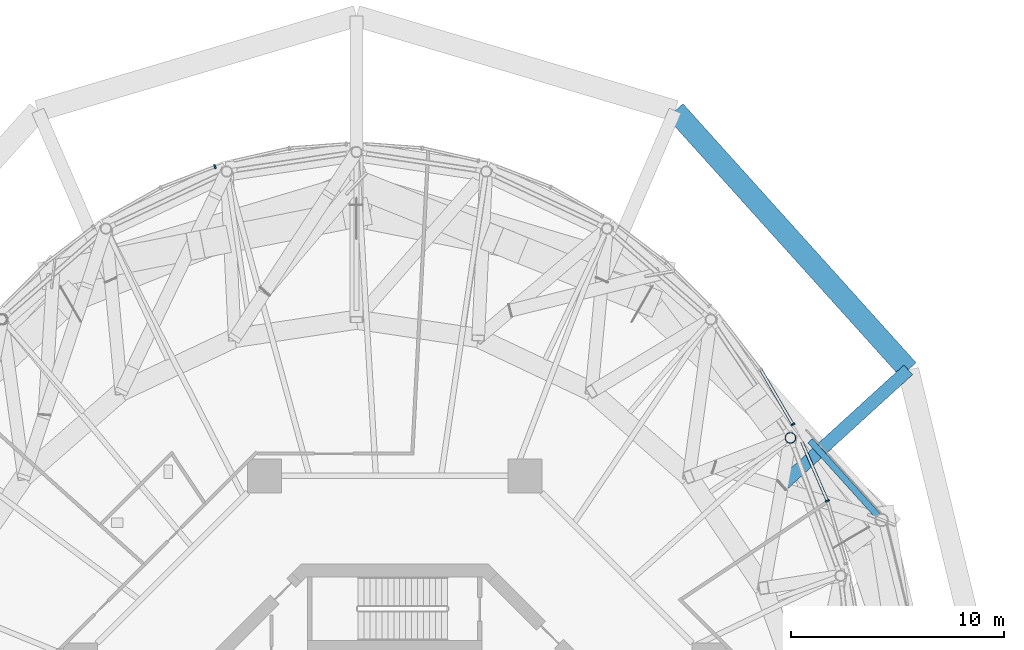
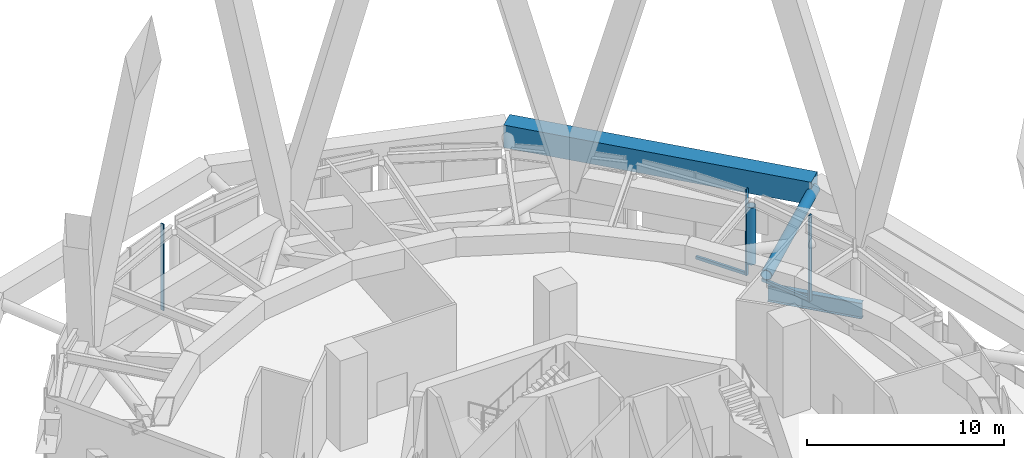
# One storey, part 34 of 48: 8 members, 1 beam, 3 elements without a shape of their own.
"""IFC4 building model written with IfcOpenShell, lengths in metres."""

from ifc_helpers import new_model, si_unit, direction, frame, origin, origin_2d, place, context, subcontext, project, spatial, rectangle, hollow_circle, i_section, extrude, material, layer, layer_set, material_profile, profile_set, type_object, element, aggregate, save


model = new_model("IFC4")

# Units and contexts
model_context = context("Model", 3, precision=1e-05, world=origin(), true_north=direction((0.0, 1.0)))
body_context = subcontext(model_context, "Body", "Model", "MODEL_VIEW")
ifc_project = project(units=[si_unit("LENGTHUNIT", "METRE"), si_unit("AREAUNIT", "SQUARE_METRE"), si_unit("VOLUMEUNIT", "CUBIC_METRE"), si_unit("PLANEANGLEUNIT", "RADIAN"), si_unit("MASSUNIT", "GRAM", prefix="KILO")], contexts=[model_context])

# Site, building, storey
site_placement = place(None, origin())
site = spatial("IfcSite", under=ifc_project, at=site_placement, CompositionType="ELEMENT")
building_placement = place(site_placement, origin())
building = spatial("IfcBuilding", under=site, at=building_placement, Name="Nagisa Residences", CompositionType="ELEMENT")
storey_placement = place(building_placement, frame((0.0, 0.0, 252.89990234375)))
storey = spatial("IfcBuildingStorey", under=building, at=storey_placement, Name="L64", CompositionType="ELEMENT", Elevation=252.89990234375)

# Curtain wall, member
ifc_material_1 = material(Name="Aluminium curtain wall system", Category="aluminium")
ifc_layer = layer(ifc_material_1, 0.159912109375)
ifc_layer_set = layer_set([ifc_layer], Name="CW2 CURTAIN WALL")
curtain_wall_type = type_object("IfcCurtainWallType", Name="CW2 CURTAIN WALL", PredefinedType="NOTDEFINED", material=ifc_layer_set)
curtain_wall_1_placement = place(storey_placement, origin())
curtain_wall_1 = element("IfcCurtainWall", 1, at=curtain_wall_1_placement, inside=storey, type_object=curtain_wall_type, Name="cw:CW2:L64:03", PredefinedType="NOTDEFINED")
ifc_material_2 = material(Name="Aluminium", Category="aluminium")
ifc_material_profile_1 = material_profile(ifc_material_2, rectangle(XDim=0.199951171875, YDim=0.080078125, at=origin_2d()), Name="CW2 MULLION 200x80")
ifc_profile_set_1 = profile_set([ifc_material_profile_1], Name="Aluminium")
member_type_1 = type_object("IfcMemberType", Name="CW2 MULLION 200x80", PredefinedType="MULLION", material=ifc_profile_set_1)
member_1_placement = place(storey_placement, frame((20.348388671875, 13.604248046875, 0.0), z_axis=(0.0, 0.0, 1.0), x_axis=(-0.917543276295, -0.397635934147, 0.0)))
member_1 = element("IfcMember", 2, at=member_1_placement, type_object=member_type_1, Name="CW2 mullion", PredefinedType="MULLION", context=body_context, shape_type="SweptSolid", body=[
    extrude(rectangle(XDim=0.199951171875, YDim=0.080078125, at=origin_2d()), origin(), (0.0, 0.0, 1.0), 5.340087890625),
])

curtain_wall_2_placement = place(storey_placement, origin())
curtain_wall_2 = element("IfcCurtainWall", 3, at=curtain_wall_2_placement, inside=storey, type_object=curtain_wall_type, Name="cw:CW2:L64:04", PredefinedType="NOTDEFINED")
member_2_placement = place(storey_placement, frame((18.72802734375, 17.19482421875, 0.0), z_axis=(0.0, 0.0, 1.0), x_axis=(-0.862328898214, -0.506348567002, 0.0)))
member_2 = element("IfcMember", 4, at=member_2_placement, type_object=member_type_1, Name="CW2 mullion", PredefinedType="MULLION", context=body_context, shape_type="SweptSolid", body=[
    extrude(rectangle(XDim=0.199951171875, YDim=0.080078125, at=origin_2d()), origin(), (0.0, 0.0, 1.0), 5.340087890625),
])

curtain_wall_3_placement = place(storey_placement, origin())
curtain_wall_3 = element("IfcCurtainWall", 5, at=curtain_wall_3_placement, inside=storey, type_object=curtain_wall_type, Name="cw:CW2:L64:14", PredefinedType="NOTDEFINED")
member_3_placement = place(storey_placement, frame((-8.4580078125, 29.3232421875, 0.0), z_axis=(0.0, 0.0, 1.0), x_axis=(0.360327770268, -0.932825759707, 0.0)))
member_3 = element("IfcMember", 6, at=member_3_placement, type_object=member_type_1, Name="CW2 mullion", PredefinedType="MULLION", context=body_context, shape_type="SweptSolid", body=[
    extrude(rectangle(XDim=0.199951171875, YDim=0.080078125, at=origin_2d()), origin(), (0.0, 0.0, 1.0), 5.340087890625),
])
aggregate(curtain_wall_3, [member_3])

# Member
ifc_material_3 = material(Name="Aluminium", Category="aluminium")
ifc_material_profile_2 = material_profile(ifc_material_3, rectangle(XDim=0.139892578125, YDim=0.179931640625, at=origin_2d()), Name="CW2 TRANSOM 140x180")
ifc_profile_set_2 = profile_set([ifc_material_profile_2], Name="Aluminium")
member_type_2 = type_object("IfcMemberType", Name="CW2 TRANSOM 140x180", PredefinedType="USERDEFINED", material=ifc_profile_set_2)
member_4_placement = place(storey_placement, frame((20.3642578125, 13.567626953125, 0.090087890625), z_axis=(-0.397584987474, 0.917565353386, 0.0), x_axis=(-0.917565353386, -0.397584987474, 0.0)))
member_4 = element("IfcMember", 7, at=member_4_placement, type_object=member_type_2, Name="CW2 transom", ObjectType="TRANSOM", PredefinedType="USERDEFINED", context=body_context, shape_type="SweptSolid", body=[
    extrude(rectangle(XDim=0.139892578125, YDim=0.179931640625, at=origin_2d()), origin(), (0.0, 0.0, 1.0), 3.0517578125),
])

aggregate(curtain_wall_1, [member_1, member_4])

member_5_placement = place(storey_placement, frame((18.748291015625, 17.16015625, 0.090087890625), z_axis=(-0.506299099486, 0.862357943002, 0.0), x_axis=(-0.862357943002, -0.506299099486, 0.0)))
member_5 = element("IfcMember", 8, at=member_5_placement, type_object=member_type_2, Name="CW2 transom", ObjectType="TRANSOM", PredefinedType="USERDEFINED", context=body_context, shape_type="SweptSolid", body=[
    extrude(rectangle(XDim=0.139892578125, YDim=0.179931640625, at=origin_2d()), origin(), (0.0, 0.0, 1.0), 3.004638671875),
])

aggregate(curtain_wall_2, [member_2, member_5])

# Members
ifc_material_4 = material(Name="Concrete C80", Category="concrete")
ifc_material_profile_3 = material_profile(ifc_material_4, rectangle(XDim=1.0, YDim=1.39990234375, at=origin_2d()), Name="C80 1000x1400")
ifc_profile_set_3 = profile_set([ifc_material_profile_3], Name="Concrete C80")
member_type_3 = type_object("IfcMemberType", Name="Cage ring 5 C80 1000x1400", PredefinedType="CHORD", material=ifc_profile_set_3)
member_6_placement = place(storey_placement, frame((24.15478515625, 19.7626953125, 1.900146484375), z_axis=(-0.669071674915, 0.743197883357, 0.0), x_axis=(-0.743197883357, -0.669071674915, 0.0)))
element("IfcMember", 9, at=member_6_placement, inside=storey, type_object=member_type_3, Name="beam:L64:cg5r102", PredefinedType="CHORD", context=body_context, shape_type="SweptSolid", body=[
    extrude(rectangle(XDim=1.0, YDim=1.39990234375, at=origin_2d()), origin(), (0.0, 0.0, 1.0), 16.3955078125),
])
ifc_material_5 = material(Name="Steel ASTM A572 Gr 65", Category="steel")
ifc_material_profile_4 = material_profile(ifc_material_5, hollow_circle(Radius=0.304931640625, WallThickness=0.02490234375, at=origin_2d()), Name="CHS 610x25")
ifc_profile_set_4 = profile_set([ifc_material_profile_4], Name="Steel ASTM A572 Gr 65")
member_type_4 = type_object("IfcMemberType", Name="Cage strut CHS 610x25", PredefinedType="STRUT", material=ifc_profile_set_4)
member_7_placement = place(storey_placement, frame((24.15478515625, 19.7626953125, 1.900146484375), z_axis=(-0.738704459213, -0.67402946667, 0.0), x_axis=(0.67402946667, -0.738704459213, 0.0)))
element("IfcMember", 10, at=member_7_placement, inside=storey, type_object=member_type_4, Name="mem:L64:bt5st5a02", PredefinedType="STRUT", context=body_context, shape_type="SweptSolid", body=[
    extrude(hollow_circle(Radius=0.304931640625, WallThickness=0.02490234375, at=origin_2d()), origin(), (0.0, 0.0, 1.0), 8.03662109375),
])

# Beam
ifc_material_6 = material(Name="Steel ASTM A572 Gr 50", Category="steel")
ifc_material_profile_5 = material_profile(ifc_material_6, i_section(OverallWidth=0.300048828125, OverallDepth=0.97998046875, WebThickness=0.0166015625, FlangeThickness=0.02587890625, at=origin_2d()), Name="W1000x249")
ifc_profile_set_5 = profile_set([ifc_material_profile_5], Name="Steel ASTM A572 Gr 50")
beam_type = type_object("IfcBeamType", Name="Deck edge beam W1000x249", PredefinedType="BEAM", material=ifc_profile_set_5)
beam_placement = place(storey_placement, frame((22.89892578125, 12.702392578125, -0.889892578125), z_axis=(-0.669544785421, 0.742771687879, 0.0), x_axis=(-0.742771687879, -0.669544785421, 0.0)))
element("IfcBeam", 11, at=beam_placement, inside=storey, type_object=beam_type, Name="beam:L64:deckedge02", PredefinedType="BEAM", context=body_context, shape_type="SweptSolid", body=[
    extrude(i_section(OverallWidth=0.300048828125, OverallDepth=0.97998046875, WebThickness=0.0166015625, FlangeThickness=0.02587890625, at=origin_2d()), origin(), (0.0, 0.0, 1.0), 5.02099609375),
])

# Member
ifc_material_7 = material(Name="Steel ASTM A572 Gr 65", Category="steel")
ifc_material_profile_6 = material_profile(ifc_material_7, hollow_circle(Radius=0.25390625, WallThickness=0.02001953125, at=origin_2d()), Name="CHS 508x20")
ifc_profile_set_6 = profile_set([ifc_material_profile_6], Name="Steel ASTM A572 Gr 65")
member_type_5 = type_object("IfcMemberType", Name="Garden edge post CHS 508x20", PredefinedType="POST", material=ifc_profile_set_6)
member_8_placement = place(storey_placement, frame((18.6123046875, 16.562744140625, 1.2001953125), z_axis=(0.0, 0.0, 1.0), x_axis=(1.0, 0.0, 0.0)))
element("IfcMember", 12, at=member_8_placement, inside=storey, type_object=member_type_5, Name="mem:L64:gp503", PredefinedType="POST", context=body_context, shape_type="SweptSolid", body=[
    extrude(hollow_circle(Radius=0.25390625, WallThickness=0.02001953125, at=origin_2d()), origin(), (0.0, 0.0, 1.0), 3.536865234375),
])

save(model, "model.ifc")
